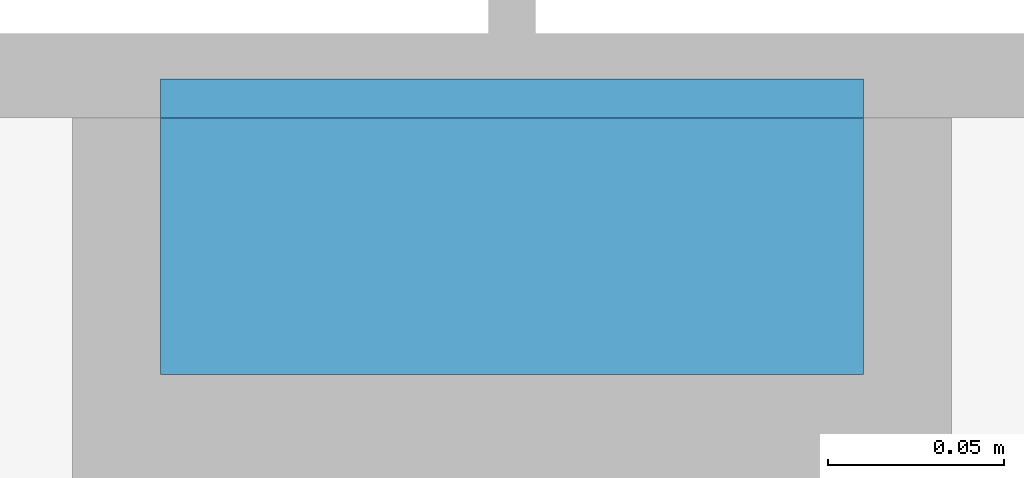
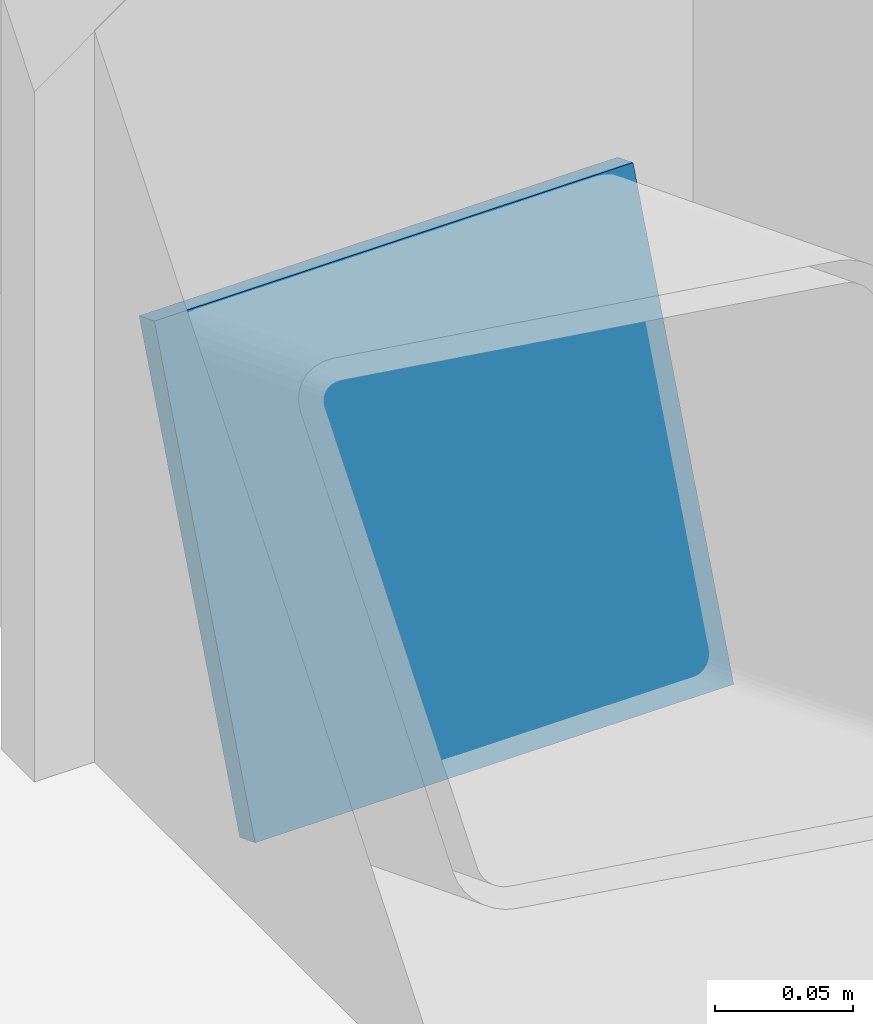
# One storey, part 286 of 321: 1 discrete accessory.
"""IFC4 building model written with IfcOpenShell, lengths in metres."""

from ifc_helpers import new_model, si_unit, direction, frame, origin, origin_2d, place, context, subcontext, project, spatial, rectangle, extrude, material, material_profile, profile_set, type_object, element, save


model = new_model("IFC4")

# Units and contexts
model_context = context("Model", 3, precision=1e-05, world=origin(), true_north=direction((0.0, 1.0)))
body_context = subcontext(model_context, "Body", "Model", "MODEL_VIEW")
ifc_project = project(units=[si_unit("LENGTHUNIT", "METRE"), si_unit("AREAUNIT", "SQUARE_METRE"), si_unit("VOLUMEUNIT", "CUBIC_METRE"), si_unit("PLANEANGLEUNIT", "RADIAN"), si_unit("MASSUNIT", "GRAM", prefix="KILO")], contexts=[model_context])

# Site, building, storey
site_placement = place(None, origin())
site = spatial("IfcSite", under=ifc_project, at=site_placement, CompositionType="ELEMENT")
building_placement = place(site_placement, origin())
building = spatial("IfcBuilding", under=site, at=building_placement, Name="Ravi Spectrum Wholesale Market", CompositionType="ELEMENT")
storey_placement = place(building_placement, frame((0.0, 0.0, 10.800048828125)))
storey = spatial("IfcBuildingStorey", under=building, at=storey_placement, Name="L02", CompositionType="ELEMENT", Elevation=10.800048828125)

# Discrete accessory
ifc_material = material(Name="Steel S355", Category="steel")
ifc_material_profile = material_profile(ifc_material, rectangle(XDim=0.199951171875, YDim=0.199951171875, at=origin_2d()))
ifc_profile_set = profile_set([ifc_material_profile], Name="Steel S355")
discrete_accessory_type = type_object("IfcDiscreteAccessoryType", Name="End plate SHS 200x200x8", PredefinedType="BRACKET", material=ifc_profile_set)
discrete_accessory_placement = place(storey_placement, frame((246.0, 53.763427734375, 0.093017578125), z_axis=(0.0, 0.931242779706, -0.364399348581), x_axis=(-1.0, 0.0, 0.0)))
element("IfcDiscreteAccessory", 1, at=discrete_accessory_placement, inside=storey, type_object=discrete_accessory_type, Name="End plate", PredefinedType="BRACKET", context=body_context, shape_type="SweptSolid", body=[
    extrude(rectangle(XDim=0.199951171875, YDim=0.199951171875, at=origin_2d()), origin(), (0.0, 0.0, 1.0), 0.011962890625),
])

save(model, "model.ifc")
